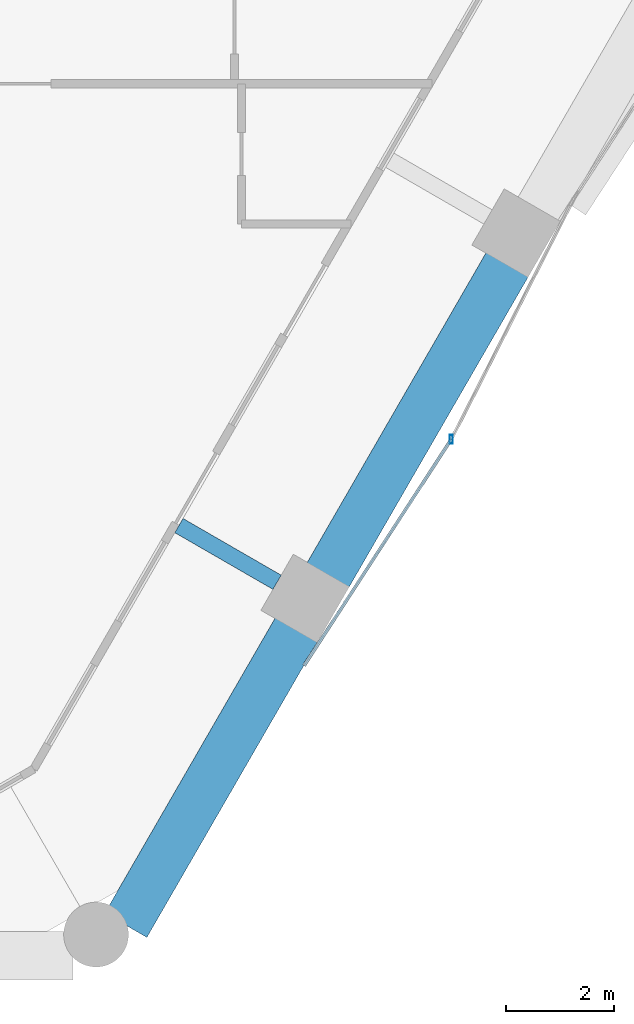
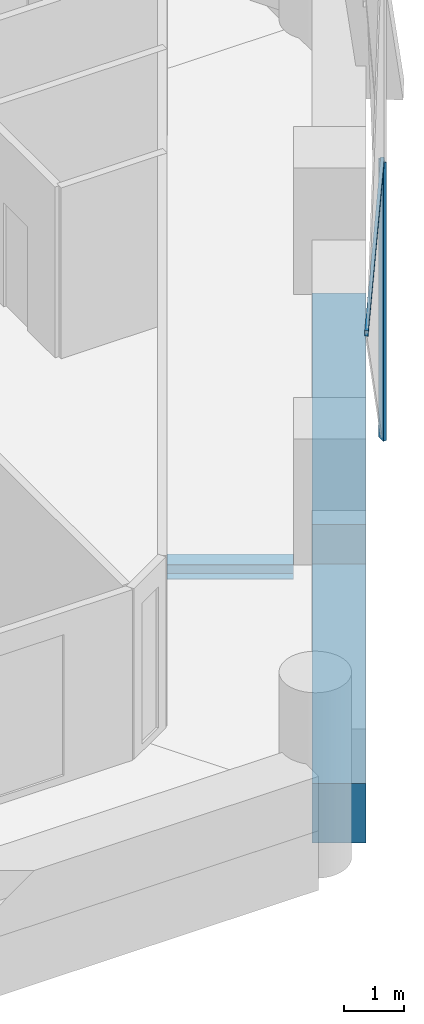
# One storey, part 5 of 16: 3 beams, 2 members, 2 elements without a shape of their own.
"""IFC4 building model written with IfcOpenShell, lengths in metres."""

from ifc_helpers import new_model, si_unit, direction, frame, origin, origin_2d, place, context, subcontext, project, spatial, rectangle, hollow_rectangle, i_section, extrude, material, material_profile, profile_set, type_object, element, aggregate, save


model = new_model("IFC4")

# Units and contexts
model_context = context("Model", 3, precision=1e-05, world=origin(), true_north=direction((0.0, 1.0)))
body_context = subcontext(model_context, "Body", "Model", "MODEL_VIEW")
ifc_project = project(units=[si_unit("LENGTHUNIT", "METRE"), si_unit("AREAUNIT", "SQUARE_METRE"), si_unit("VOLUMEUNIT", "CUBIC_METRE"), si_unit("PLANEANGLEUNIT", "RADIAN"), si_unit("MASSUNIT", "GRAM", prefix="KILO")], contexts=[model_context])

# Site, building, storey
site_placement = place(None, origin())
site = spatial("IfcSite", under=ifc_project, at=site_placement, CompositionType="ELEMENT")
building_placement = place(site_placement, origin())
building = spatial("IfcBuilding", under=site, at=building_placement, Name="Ostrander Bayou Hotel Tower", CompositionType="ELEMENT")
storey_placement = place(building_placement, frame((0.0, 0.0, 85.5)))
storey = spatial("IfcBuildingStorey", under=building, at=storey_placement, Name="L21", CompositionType="ELEMENT", Elevation=85.5)

# Curtain wall, member
ifc_material_1 = material(Name="Aluminium and clear glass", Category="aluminium")
curtain_wall_type = type_object("IfcCurtainWallType", Name="CW-LAT lattice glazing", PredefinedType="NOTDEFINED", material=ifc_material_1)
curtain_wall_1_placement = place(storey_placement, origin())
curtain_wall_1 = element("IfcCurtainWall", 1, at=curtain_wall_1_placement, inside=storey, type_object=curtain_wall_type, Name="CW-LAT L21 SE 1", PredefinedType="NOTDEFINED")
ifc_material_2 = material(Name="Aluminium", Category="aluminium")
ifc_material_profile_1 = material_profile(ifc_material_2, hollow_rectangle(XDim=0.06005859375, YDim=0.159912109375, WallThickness=0.00390625, at=origin_2d()))
ifc_profile_set_1 = profile_set([ifc_material_profile_1], Name="Aluminium")
member_type_1 = type_object("IfcMemberType", Name="CW-LA mullion 60 x 160 mm", PredefinedType="MULLION", material=ifc_profile_set_1)
member_1_placement = place(storey_placement, frame((17.814208984375, -10.284912109375, -0.60009765625), z_axis=(0.0, 0.0, 1.0), x_axis=(1.0, 0.0, 0.0)))
member_1 = element("IfcMember", 2, at=member_1_placement, type_object=member_type_1, Name="CW-LAT mullion 1", PredefinedType="MULLION", context=body_context, shape_type="SweptSolid", body=[
    extrude(hollow_rectangle(XDim=0.06005859375, YDim=0.159912109375, WallThickness=0.00390625, at=origin_2d()), origin(), (0.0, 0.0, 1.0), 5.625),
])
aggregate(curtain_wall_1, [member_1])

curtain_wall_2_placement = place(storey_placement, origin())
curtain_wall_2 = element("IfcCurtainWall", 3, at=curtain_wall_2_placement, inside=storey, type_object=curtain_wall_type, Name="CW-LAT L21 SE 2", PredefinedType="NOTDEFINED")
ifc_material_3 = material(Name="Aluminium", Category="aluminium")
ifc_material_profile_2 = material_profile(ifc_material_3, hollow_rectangle(XDim=0.06005859375, YDim=0.1201171875, WallThickness=0.00390625, at=origin_2d()))
ifc_profile_set_2 = profile_set([ifc_material_profile_2], Name="Aluminium")
member_type_2 = type_object("IfcMemberType", Name="CW-LA transom 60 x 120 mm", PredefinedType="USERDEFINED", material=ifc_profile_set_2)
member_2_placement = place(storey_placement, frame((17.814208984375, -10.284912109375, 5.02490234375), z_axis=(-0.545032954185, -0.838414622279, 0.0), x_axis=(0.838414622279, -0.545032954185, 0.0)))
member_2 = element("IfcMember", 4, at=member_2_placement, type_object=member_type_2, Name="CW-LAT transom 3", ObjectType="TRANSOM", PredefinedType="USERDEFINED", context=body_context, shape_type="SweptSolid", body=[
    extrude(hollow_rectangle(XDim=0.06005859375, YDim=0.1201171875, WallThickness=0.00390625, at=origin_2d()), origin(), (0.0, 0.0, 1.0), 5.002197265625),
])
aggregate(curtain_wall_2, [member_2])

# Beams
ifc_material_4 = material(Name="Steel ASTM A992", Category="steel")
ifc_material_profile_3 = material_profile(ifc_material_4, i_section(OverallWidth=0.3046875, OverallDepth=0.307861328125, WebThickness=0.010009765625, FlangeThickness=0.015380859375, at=origin_2d()))
ifc_profile_set_3 = profile_set([ifc_material_profile_3], Name="Steel ASTM A992")
beam_type_1 = type_object("IfcBeamType", Name="LB1 loggia bracket W12x65", PredefinedType="BEAM", material=ifc_profile_set_3)
beam_1_placement = place(storey_placement, frame((14.587646484375, -12.933349609375, -0.453857421875), z_axis=(-0.866009402589, 0.500027713859, 0.0), x_axis=(-0.500027713859, -0.866009402589, 0.0)))
element("IfcBeam", 5, at=beam_1_placement, inside=storey, type_object=beam_type_1, Name="LB1 L21 SE1", PredefinedType="BEAM", context=body_context, shape_type="SweptSolid", body=[
    extrude(i_section(OverallWidth=0.3046875, OverallDepth=0.307861328125, WebThickness=0.010009765625, FlangeThickness=0.015380859375, at=origin_2d()), origin(), (0.0, 0.0, 1.0), 2.10009765625),
])
ifc_material_5 = material(Name="Concrete f'c 70 MPa", Category="concrete")
ifc_material_profile_4 = material_profile(ifc_material_5, rectangle(XDim=0.89990234375, YDim=1.199951171875, at=origin_2d()))
ifc_profile_set_4 = profile_set([ifc_material_profile_4], Name="Concrete f'c 70 MPa")
beam_type_2 = type_object("IfcBeamType", Name="SP2 spandrel beam 900 x 1200 mm f'c 70 MPa", PredefinedType="SPANDREL", material=ifc_profile_set_4)
beam_2_placement = place(storey_placement, frame((11.785888671875, -19.286376953125, -0.60009765625), z_axis=(0.499982754166, 0.866035360443, 0.0), x_axis=(-0.866035360443, 0.499982754166, 0.0)))
element("IfcBeam", 6, at=beam_2_placement, inside=storey, type_object=beam_type_2, Name="SP2 L21 SE-1", PredefinedType="SPANDREL", context=body_context, shape_type="SweptSolid", body=[
    extrude(rectangle(XDim=0.89990234375, YDim=1.199951171875, at=origin_2d()), origin(), (0.0, 0.0, 1.0), 6.332763671875),
])
beam_3_placement = place(storey_placement, frame((15.522216796875, -12.814697265625, -0.60009765625), z_axis=(0.499999023957, 0.866025967302, 0.0), x_axis=(-0.866025967302, 0.499999023957, 0.0)))
element("IfcBeam", 7, at=beam_3_placement, inside=storey, type_object=beam_type_2, Name="SP2 L21 SE-2", PredefinedType="SPANDREL", context=body_context, shape_type="SweptSolid", body=[
    extrude(rectangle(XDim=0.89990234375, YDim=1.199951171875, at=origin_2d()), origin(), (0.0, 0.0, 1.0), 6.67333984375),
])

save(model, "model.ifc")
